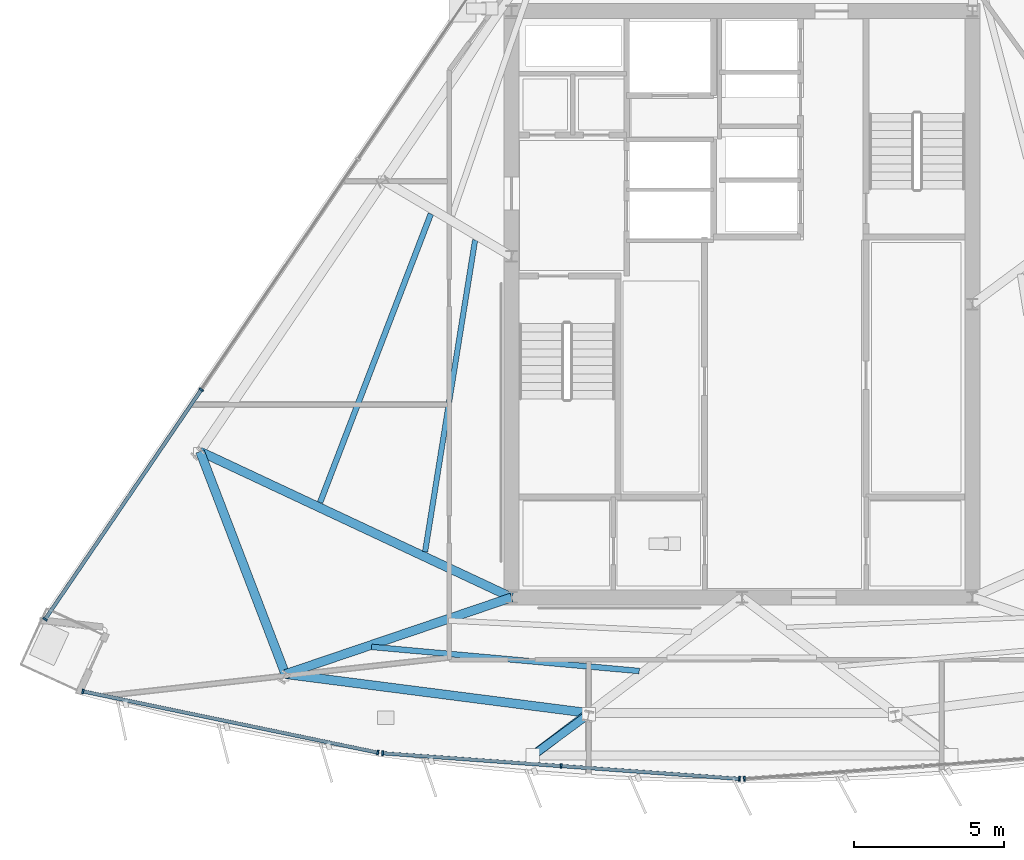
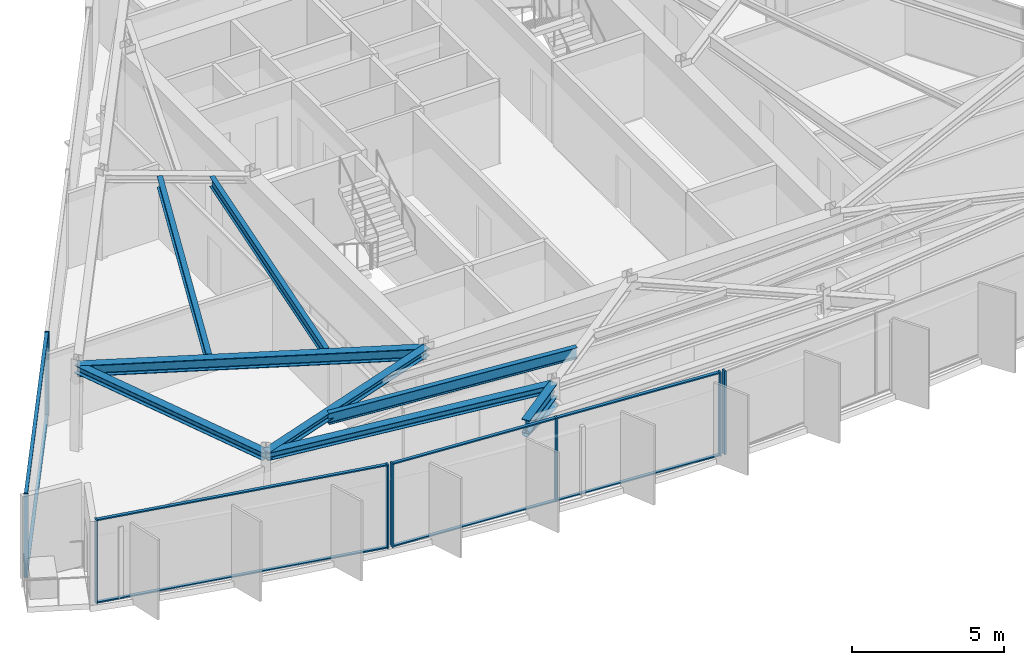
# One storey, part 2 of 12: 17 members, 8 beams, 4 elements without a shape of their own.
"""IFC4 building model written with IfcOpenShell, lengths in metres."""

from ifc_helpers import new_model, si_unit, direction, frame, origin, origin_2d, place, context, subcontext, project, spatial, rectangle, hollow_circle, i_section, extrude, material, material_profile, profile_set, type_object, element, aggregate, save


model = new_model("IFC4")

# Units and contexts
model_context = context("Model", 3, precision=1e-05, world=origin(), true_north=direction((0.0, 1.0)))
body_context = subcontext(model_context, "Body", "Model", "MODEL_VIEW")
ifc_project = project(units=[si_unit("LENGTHUNIT", "METRE"), si_unit("AREAUNIT", "SQUARE_METRE"), si_unit("VOLUMEUNIT", "CUBIC_METRE"), si_unit("PLANEANGLEUNIT", "RADIAN"), si_unit("MASSUNIT", "GRAM", prefix="KILO")], contexts=[model_context])

# Site, building, storey
site_placement = place(None, origin())
site = spatial("IfcSite", under=ifc_project, at=site_placement, CompositionType="ELEMENT")
building_placement = place(site_placement, origin())
building = spatial("IfcBuilding", under=site, at=building_placement, Name="Savorim Split Tower", CompositionType="ELEMENT")
storey_placement = place(building_placement, frame((0.0, 0.0, 279.60009765625)))
storey = spatial("IfcBuildingStorey", under=building, at=storey_placement, Name="L74", CompositionType="ELEMENT", Elevation=279.60009765625)

# Beams
ifc_material_1 = material(Name="Steel S355", Category="steel")
ifc_material_profile_1 = material_profile(ifc_material_1, i_section(OverallWidth=0.179931640625, OverallDepth=0.39990234375, WebThickness=0.008544921875, FlangeThickness=0.013427734375, FilletRadius=0.02099609375, at=origin_2d()), Name="IPE 400")
ifc_profile_set_1 = profile_set([ifc_material_profile_1], Name="Steel S355")
beam_type_1 = type_object("IfcBeamType", Name="BM-JST-IPE400", PredefinedType="JOIST", material=ifc_profile_set_1)
beam_1_placement = place(storey_placement, frame((-8.917724609375, 2.548583984375, 3.14990234375), z_axis=(-0.158399938839, -0.987375034815, 0.0), x_axis=(0.987375034815, -0.158399938839, 0.0)))
element("IfcBeam", 1, at=beam_1_placement, inside=storey, type_object=beam_type_1, Name="L74 Secondary Floor Joist JS-11", PredefinedType="JOIST", context=body_context, shape_type="SweptSolid", body=[
    extrude(i_section(OverallWidth=0.179931640625, OverallDepth=0.39990234375, WebThickness=0.008544921875, FlangeThickness=0.013427734375, FilletRadius=0.02099609375, at=origin_2d()), origin(), (0.0, 0.0, 1.0), 10.557861328125),
])
ifc_material_profile_2 = material_profile(ifc_material_1, i_section(OverallWidth=0.18994140625, OverallDepth=0.449951171875, WebThickness=0.009521484375, FlangeThickness=0.0146484375, FilletRadius=0.02099609375, at=origin_2d()), Name="IPE 450")
ifc_profile_set_2 = profile_set([ifc_material_profile_2], Name="Steel S355")
beam_type_2 = type_object("IfcBeamType", Name="BM-JST-IPE450", PredefinedType="JOIST", material=ifc_profile_set_2)
beam_2_placement = place(storey_placement, frame((-12.378662109375, -11.05419921875, 3.125), z_axis=(0.995974123381, -0.089641204566, 0.0), x_axis=(0.089641204566, 0.995974123381, 0.0)))
element("IfcBeam", 2, at=beam_2_placement, inside=storey, type_object=beam_type_2, Name="L74 Secondary Floor Joist JS-01", PredefinedType="JOIST", context=body_context, shape_type="SweptSolid", body=[
    extrude(i_section(OverallWidth=0.18994140625, OverallDepth=0.449951171875, WebThickness=0.009521484375, FlangeThickness=0.0146484375, FilletRadius=0.02099609375, at=origin_2d()), origin(), (0.0, 0.0, 1.0), 8.982177734375),
])
beam_3_placement = place(storey_placement, frame((-10.397705078125, 3.41552734375, 3.125), z_axis=(-0.358335838564, -0.933592752115, 0.0), x_axis=(0.933592752115, -0.358335838564, 0.0)))
element("IfcBeam", 3, at=beam_3_placement, inside=storey, type_object=beam_type_2, Name="L74 Secondary Floor Joist JS-10", PredefinedType="JOIST", context=body_context, shape_type="SweptSolid", body=[
    extrude(i_section(OverallWidth=0.18994140625, OverallDepth=0.449951171875, WebThickness=0.009521484375, FlangeThickness=0.0146484375, FilletRadius=0.02099609375, at=origin_2d()), origin(), (0.0, 0.0, 1.0), 10.327392578125),
])
ifc_material_profile_3 = material_profile(ifc_material_1, i_section(OverallWidth=0.300048828125, OverallDepth=0.300048828125, WebThickness=0.010986328125, FlangeThickness=0.01904296875, FilletRadius=0.027099609375, at=origin_2d()), Name="HEB 300")
ifc_profile_set_3 = profile_set([ifc_material_profile_3], Name="Steel S355")
beam_type_3 = type_object("IfcBeamType", Name="BM-PRI-HEB300", PredefinedType="BEAM", material=ifc_profile_set_3)
beam_4_placement = place(storey_placement, frame((-15.25927734375, -11.96240234375, 3.199951171875), z_axis=(0.947065248917, 0.321041141124, 0.0), x_axis=(-0.321041141124, 0.947065248917, 0.0)))
element("IfcBeam", 4, at=beam_4_placement, inside=storey, type_object=beam_type_3, Name="L74 Primary Floor Girder RG-01", PredefinedType="BEAM", context=body_context, shape_type="SweptSolid", body=[
    extrude(i_section(OverallWidth=0.300048828125, OverallDepth=0.300048828125, WebThickness=0.010986328125, FlangeThickness=0.01904296875, FilletRadius=0.027099609375, at=origin_2d()), origin(), (0.0, 0.0, 1.0), 7.98193359375),
])
ifc_material_profile_4 = material_profile(ifc_material_1, i_section(OverallWidth=0.300048828125, OverallDepth=0.449951171875, WebThickness=0.013916015625, FlangeThickness=0.02587890625, FilletRadius=0.027099609375, at=origin_2d()), Name="HEB 450")
ifc_profile_set_4 = profile_set([ifc_material_profile_4], Name="Steel S355")
beam_type_4 = type_object("IfcBeamType", Name="BM-PRI-HEB450", PredefinedType="BEAM", material=ifc_profile_set_4)
beam_5_placement = place(storey_placement, frame((-18.1123046875, -4.521484375, 3.125), z_axis=(0.905538222702, -0.424264690052, 0.0), x_axis=(0.424264690052, 0.905538222702, 0.0)))
element("IfcBeam", 5, at=beam_5_placement, inside=storey, type_object=beam_type_4, Name="L74 Primary Floor Girder RG-10", PredefinedType="BEAM", context=body_context, shape_type="SweptSolid", body=[
    extrude(i_section(OverallWidth=0.300048828125, OverallDepth=0.449951171875, WebThickness=0.013916015625, FlangeThickness=0.02587890625, FilletRadius=0.027099609375, at=origin_2d()), origin(), (0.0, 0.0, 1.0), 11.49853515625),
])
ifc_material_profile_5 = material_profile(ifc_material_1, i_section(OverallWidth=0.300048828125, OverallDepth=0.550048828125, WebThickness=0.014892578125, FlangeThickness=0.029052734375, FilletRadius=0.027099609375, at=origin_2d()), Name="HEB 550")
ifc_profile_set_5 = profile_set([ifc_material_profile_5], Name="Steel S355")
beam_type_5 = type_object("IfcBeamType", Name="BM-PRI-HEB550", PredefinedType="BEAM", material=ifc_profile_set_5)
beam_6_placement = place(storey_placement, frame((-5.1142578125, -13.264892578125, 3.074951171875), z_axis=(-0.797762933165, -0.602971228557, 0.0), x_axis=(0.602971228557, -0.797762933165, 0.0)))
element("IfcBeam", 6, at=beam_6_placement, inside=storey, type_object=beam_type_5, Name="L74 Cantilevered Lounge Rib 1", PredefinedType="BEAM", context=body_context, shape_type="SweptSolid", body=[
    extrude(i_section(OverallWidth=0.300048828125, OverallDepth=0.550048828125, WebThickness=0.014892578125, FlangeThickness=0.029052734375, FilletRadius=0.027099609375, at=origin_2d()), origin(), (0.0, 0.0, 1.0), 2.35009765625),
])
ifc_material_profile_6 = material_profile(ifc_material_1, i_section(OverallWidth=0.300048828125, OverallDepth=0.31005859375, WebThickness=0.009033203125, FlangeThickness=0.015380859375, FilletRadius=0.027099609375, at=origin_2d()), Name="HEA 320")
ifc_profile_set_6 = profile_set([ifc_material_profile_6], Name="Steel S355")
beam_type_6 = type_object("IfcBeamType", Name="BM-SPN-HEA320", PredefinedType="SPANDREL", material=ifc_profile_set_6)
beam_7_placement = place(storey_placement, frame((-15.25927734375, -11.96240234375, 3.19482421875), z_axis=(0.991858875816, -0.127341943074, 0.0), x_axis=(0.127341943074, 0.991858875816, 0.0)))
element("IfcBeam", 7, at=beam_7_placement, inside=storey, type_object=beam_type_6, Name="L74 Perimeter Spandrel Beam 1", PredefinedType="SPANDREL", context=body_context, shape_type="SweptSolid", body=[
    extrude(i_section(OverallWidth=0.300048828125, OverallDepth=0.31005859375, WebThickness=0.009033203125, FlangeThickness=0.015380859375, FilletRadius=0.027099609375, at=origin_2d()), origin(), (0.0, 0.0, 1.0), 10.228271484375),
])
beam_8_placement = place(storey_placement, frame((-18.1123046875, -4.521484375, 3.19482421875), z_axis=(0.358009910373, -0.933717786098, 0.0), x_axis=(0.933717786098, 0.358009910373, 0.0)))
element("IfcBeam", 8, at=beam_8_placement, inside=storey, type_object=beam_type_6, Name="L74 Perimeter Spandrel Beam 10", PredefinedType="SPANDREL", context=body_context, shape_type="SweptSolid", body=[
    extrude(i_section(OverallWidth=0.300048828125, OverallDepth=0.31005859375, WebThickness=0.009033203125, FlangeThickness=0.015380859375, FilletRadius=0.027099609375, at=origin_2d()), origin(), (0.0, 0.0, 1.0), 7.96923828125),
])

# Curtain wall, members
ifc_material_2 = material(Name="Dark Ceramic-Fritted Insulated Glass", Category="glass")
curtain_wall_type = type_object("IfcCurtainWallType", Name="CW-TWR-FRIT-B", PredefinedType="NOTDEFINED", material=ifc_material_2)
curtain_wall_1_placement = place(storey_placement, origin())
curtain_wall_1 = element("IfcCurtainWall", 9, at=curtain_wall_1_placement, inside=storey, type_object=curtain_wall_type, Name="L74 Curtain Wall CW-L74-SF1", PredefinedType="NOTDEFINED")
ifc_material_3 = material(Name="Charcoal Anodised Aluminium", Category="aluminium")
ifc_material_profile_7 = material_profile(ifc_material_3, rectangle(XDim=0.159912109375, YDim=0.06005859375, at=origin_2d()), Name="ALU-M 160x60")
ifc_profile_set_7 = profile_set([ifc_material_profile_7], Name="Charcoal Anodised Aluminium")
member_type_1 = type_object("IfcMemberType", Name="CWM-160x60", PredefinedType="MULLION", material=ifc_profile_set_7)
member_1_placement = place(storey_placement, frame((-22.02490234375, -12.539306640625, 0.0), z_axis=(0.0, 0.0, 1.0), x_axis=(0.20321234794, 0.979134690247, 0.0)))
member_1 = element("IfcMember", 10, at=member_1_placement, type_object=member_type_1, Name="CW-03 mullion 1", PredefinedType="MULLION", context=body_context, shape_type="SweptSolid", body=[
    extrude(rectangle(XDim=0.159912109375, YDim=0.06005859375, at=origin_2d()), origin(), (0.0, 0.0, 1.0), 3.349853515625),
])
member_2_placement = place(storey_placement, frame((-12.16943359375, -14.584716796875, 0.0), z_axis=(0.0, 0.0, 1.0), x_axis=(0.20321234794, 0.979134690247, 0.0)))
member_2 = element("IfcMember", 11, at=member_2_placement, type_object=member_type_1, Name="CW-03 mullion 2", PredefinedType="MULLION", context=body_context, shape_type="SweptSolid", body=[
    extrude(rectangle(XDim=0.159912109375, YDim=0.06005859375, at=origin_2d()), origin(), (0.0, 0.0, 1.0), 3.349853515625),
])

curtain_wall_2_placement = place(storey_placement, origin())
curtain_wall_2 = element("IfcCurtainWall", 12, at=curtain_wall_2_placement, inside=storey, type_object=curtain_wall_type, Name="L74 Curtain Wall CW-L74-SF2", PredefinedType="NOTDEFINED")
member_3_placement = place(storey_placement, frame((-12.00732421875, -14.607177734375, 0.0), z_axis=(0.0, 0.0, 1.0), x_axis=(0.071558116795, 0.99743643202, 0.0)))
member_3 = element("IfcMember", 13, at=member_3_placement, type_object=member_type_1, Name="CW-03 mullion 1", PredefinedType="MULLION", context=body_context, shape_type="SweptSolid", body=[
    extrude(rectangle(XDim=0.159912109375, YDim=0.06005859375, at=origin_2d()), origin(), (0.0, 0.0, 1.0), 3.349853515625),
])
member_4_placement = place(storey_placement, frame((-6.044189453125, -15.03515625, 0.0), z_axis=(0.0, 0.0, 1.0), x_axis=(0.071558116795, 0.99743643202, 0.0)))
member_4 = element("IfcMember", 14, at=member_4_placement, type_object=member_type_1, Name="CW-03 mullion 2", PredefinedType="MULLION", context=body_context, shape_type="SweptSolid", body=[
    extrude(rectangle(XDim=0.159912109375, YDim=0.06005859375, at=origin_2d()), origin(), (0.0, 0.0, 1.0), 3.349853515625),
])
member_5_placement = place(storey_placement, frame((-0.081298828125, -15.462890625, 0.0), z_axis=(0.0, 0.0, 1.0), x_axis=(0.071558116795, 0.99743643202, 0.0)))
member_5 = element("IfcMember", 15, at=member_5_placement, type_object=member_type_1, Name="CW-03 mullion 3", PredefinedType="MULLION", context=body_context, shape_type="SweptSolid", body=[
    extrude(rectangle(XDim=0.159912109375, YDim=0.06005859375, at=origin_2d()), origin(), (0.0, 0.0, 1.0), 3.349853515625),
])

# Curtain wall, member
curtain_wall_3_placement = place(storey_placement, origin())
curtain_wall_3 = element("IfcCurtainWall", 16, at=curtain_wall_3_placement, inside=storey, type_object=curtain_wall_type, Name="L74 Curtain Wall CW-L74-SF3", PredefinedType="NOTDEFINED")
member_6_placement = place(storey_placement, frame((0.081298828125, -15.462890625, 0.0), z_axis=(0.0, 0.0, 1.0), x_axis=(-0.071558116795, 0.99743643202, 0.0)))
member_6 = element("IfcMember", 17, at=member_6_placement, type_object=member_type_1, Name="CW-03 mullion 1", PredefinedType="MULLION", context=body_context, shape_type="SweptSolid", body=[
    extrude(rectangle(XDim=0.159912109375, YDim=0.06005859375, at=origin_2d()), origin(), (0.0, 0.0, 1.0), 3.349853515625),
])
aggregate(curtain_wall_3, [member_6])

# Curtain wall, members
curtain_wall_4_placement = place(storey_placement, origin())
curtain_wall_4 = element("IfcCurtainWall", 18, at=curtain_wall_4_placement, inside=storey, type_object=curtain_wall_type, Name="L74 Curtain Wall CW-L74-WEST", PredefinedType="NOTDEFINED")
member_7_placement = place(storey_placement, frame((-18.0693359375, -2.455078125, 0.0), z_axis=(0.0, 0.0, 1.0), x_axis=(0.826817636776, -0.562470084107, 0.0)))
member_7 = element("IfcMember", 19, at=member_7_placement, type_object=member_type_1, Name="CW-03 mullion 3", PredefinedType="MULLION", context=body_context, shape_type="SweptSolid", body=[
    extrude(rectangle(XDim=0.159912109375, YDim=0.06005859375, at=origin_2d()), origin(), (0.0, 0.0, 1.0), 3.349853515625),
])
member_8_placement = place(storey_placement, frame((-23.29052734375, -10.130126953125, 0.0), z_axis=(0.0, 0.0, 1.0), x_axis=(0.826817636776, -0.562470084107, 0.0)))
member_8 = element("IfcMember", 20, at=member_8_placement, type_object=member_type_1, Name="CW-03 mullion 4", PredefinedType="MULLION", context=body_context, shape_type="SweptSolid", body=[
    extrude(rectangle(XDim=0.159912109375, YDim=0.06005859375, at=origin_2d()), origin(), (0.0, 0.0, 1.0), 3.349853515625),
])

# Member
ifc_material_profile_8 = material_profile(ifc_material_3, rectangle(XDim=0.1201171875, YDim=0.050048828125, at=origin_2d()), Name="ALU-T 120x50")
ifc_profile_set_8 = profile_set([ifc_material_profile_8], Name="Charcoal Anodised Aluminium")
member_type_2 = type_object("IfcMemberType", Name="CWT-120x50", PredefinedType="USERDEFINED", material=ifc_profile_set_8)
member_9_placement = place(storey_placement, frame((-21.995361328125, -12.54541015625, 0.02490234375), z_axis=(0.979135028347, -0.203210718869, 0.0), x_axis=(0.203210718869, 0.979135028347, 0.0)))
member_9 = element("IfcMember", 21, at=member_9_placement, type_object=member_type_2, Name="CW-03 transom 1.1", ObjectType="TRANSOM", PredefinedType="USERDEFINED", context=body_context, shape_type="SweptSolid", body=[
    extrude(rectangle(XDim=0.1201171875, YDim=0.050048828125, at=origin_2d()), origin(), (0.0, 0.0, 1.0), 10.00537109375),
])

member_10_placement = place(storey_placement, frame((-21.995361328125, -12.54541015625, 3.324951171875), z_axis=(0.979135028347, -0.203210718869, 0.0), x_axis=(0.203210718869, 0.979135028347, 0.0)))
member_10 = element("IfcMember", 22, at=member_10_placement, type_object=member_type_2, Name="CW-03 transom 1.2", ObjectType="TRANSOM", PredefinedType="USERDEFINED", context=body_context, shape_type="SweptSolid", body=[
    extrude(rectangle(XDim=0.1201171875, YDim=0.050048828125, at=origin_2d()), origin(), (0.0, 0.0, 1.0), 10.00537109375),
])

aggregate(curtain_wall_1, [member_1, member_2, member_9, member_10])

member_11_placement = place(storey_placement, frame((-11.9775390625, -14.609375, 0.02490234375), z_axis=(0.997435614466, -0.071569511625, 0.0), x_axis=(0.071569511625, 0.997435614466, 0.0)))
member_11 = element("IfcMember", 23, at=member_11_placement, type_object=member_type_2, Name="CW-03 transom 1.1", ObjectType="TRANSOM", PredefinedType="USERDEFINED", context=body_context, shape_type="SweptSolid", body=[
    extrude(rectangle(XDim=0.1201171875, YDim=0.050048828125, at=origin_2d()), origin(), (0.0, 0.0, 1.0), 5.91845703125),
])

member_12_placement = place(storey_placement, frame((-11.9775390625, -14.609375, 3.324951171875), z_axis=(0.997435614466, -0.071569511625, 0.0), x_axis=(0.071569511625, 0.997435614466, 0.0)))
member_12 = element("IfcMember", 24, at=member_12_placement, type_object=member_type_2, Name="CW-03 transom 1.2", ObjectType="TRANSOM", PredefinedType="USERDEFINED", context=body_context, shape_type="SweptSolid", body=[
    extrude(rectangle(XDim=0.1201171875, YDim=0.050048828125, at=origin_2d()), origin(), (0.0, 0.0, 1.0), 5.91845703125),
])

member_13_placement = place(storey_placement, frame((-6.014404296875, -15.037109375, 0.02490234375), z_axis=(0.997435614466, -0.071569511625, 0.0), x_axis=(0.071569511625, 0.997435614466, 0.0)))
member_13 = element("IfcMember", 25, at=member_13_placement, type_object=member_type_2, Name="CW-03 transom 2.1", ObjectType="TRANSOM", PredefinedType="USERDEFINED", context=body_context, shape_type="SweptSolid", body=[
    extrude(rectangle(XDim=0.1201171875, YDim=0.050048828125, at=origin_2d()), origin(), (0.0, 0.0, 1.0), 5.91845703125),
])

member_14_placement = place(storey_placement, frame((-6.014404296875, -15.037109375, 3.324951171875), z_axis=(0.997435614466, -0.071569511625, 0.0), x_axis=(0.071569511625, 0.997435614466, 0.0)))
member_14 = element("IfcMember", 26, at=member_14_placement, type_object=member_type_2, Name="CW-03 transom 2.2", ObjectType="TRANSOM", PredefinedType="USERDEFINED", context=body_context, shape_type="SweptSolid", body=[
    extrude(rectangle(XDim=0.1201171875, YDim=0.050048828125, at=origin_2d()), origin(), (0.0, 0.0, 1.0), 5.91845703125),
])

aggregate(curtain_wall_2, [member_3, member_4, member_5, member_11, member_12, member_13, member_14])

member_15_placement = place(storey_placement, frame((-18.08642578125, -2.47998046875, 0.02490234375), z_axis=(-0.562452655361, -0.826829492989, 0.0), x_axis=(0.826829492989, -0.562452655361, 0.0)))
member_15 = element("IfcMember", 27, at=member_15_placement, type_object=member_type_2, Name="CW-03 transom 3.1", ObjectType="TRANSOM", PredefinedType="USERDEFINED", context=body_context, shape_type="SweptSolid", body=[
    extrude(rectangle(XDim=0.1201171875, YDim=0.050048828125, at=origin_2d()), origin(), (0.0, 0.0, 1.0), 9.22265625),
])

member_16_placement = place(storey_placement, frame((-18.08642578125, -2.47998046875, 3.324951171875), z_axis=(-0.562452655361, -0.826829492989, 0.0), x_axis=(0.826829492989, -0.562452655361, 0.0)))
member_16 = element("IfcMember", 28, at=member_16_placement, type_object=member_type_2, Name="CW-03 transom 3.2", ObjectType="TRANSOM", PredefinedType="USERDEFINED", context=body_context, shape_type="SweptSolid", body=[
    extrude(rectangle(XDim=0.1201171875, YDim=0.050048828125, at=origin_2d()), origin(), (0.0, 0.0, 1.0), 9.22265625),
])

aggregate(curtain_wall_4, [member_7, member_8, member_15, member_16])

ifc_material_profile_9 = material_profile(ifc_material_1, hollow_circle(Radius=0.136474609375, WallThickness=0.01611328125, at=origin_2d()), Name="CHS 273x16")
ifc_profile_set_9 = profile_set([ifc_material_profile_9], Name="Steel S355")
member_type_3 = type_object("IfcMemberType", Name="MBR-CRN-CHS273", PredefinedType="BRACE", material=ifc_profile_set_9)
member_17_placement = place(storey_placement, frame((-5.1220703125, -13.305419921875, 2.449951171875), z_axis=(-0.794844273098, -0.586024847879, 0.157472090198), x_axis=(0.593428799019, -0.804886489199, 0.0)))
element("IfcMember", 29, at=member_17_placement, inside=storey, type_object=member_type_3, Name="L74 Cantilevered Bay Support Strut 1", PredefinedType="BRACE", context=body_context, shape_type="SweptSolid", body=[
    extrude(hollow_circle(Radius=0.136474609375, WallThickness=0.01611328125, at=origin_2d()), origin(), (0.0, 0.0, 1.0), 2.348876953125),
])

save(model, "model.ifc")
